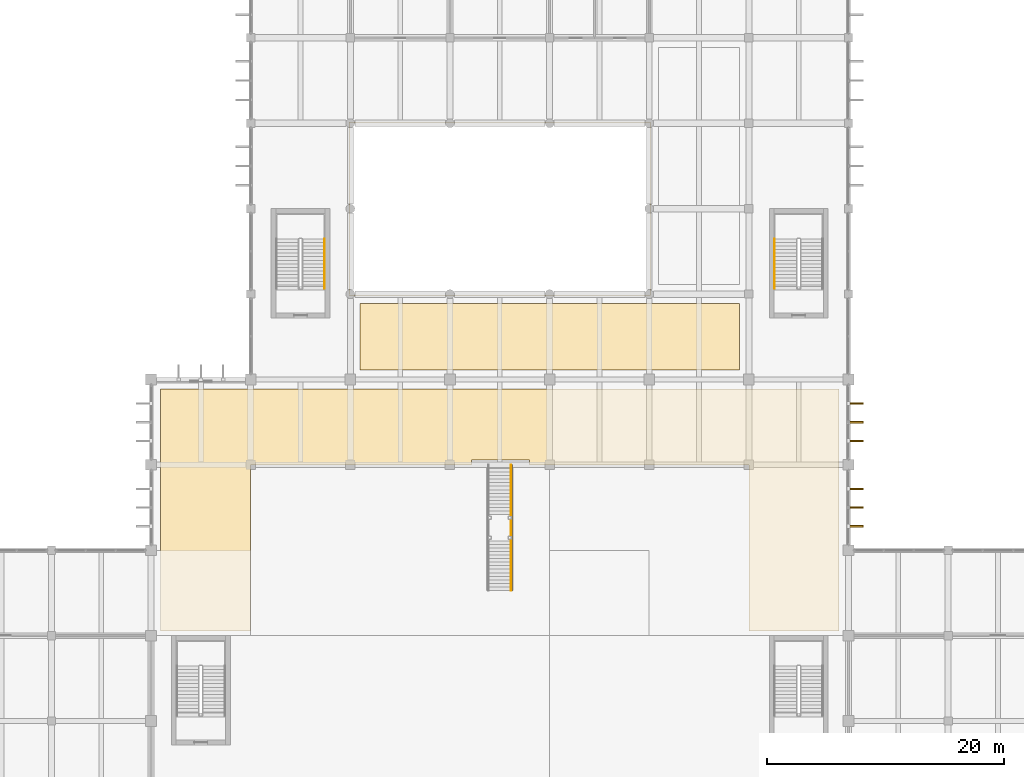
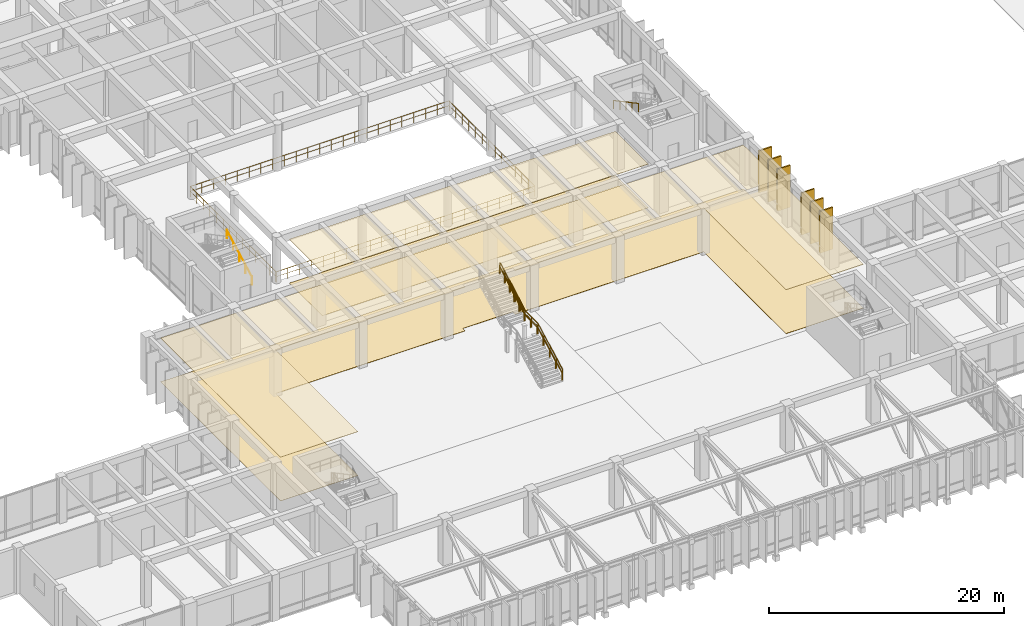
# One storey, part 46 of 51: 6 shading devices, 5 railings, 4 coverings.
"""IFC4 building model written with IfcOpenShell, lengths in metres."""

from ifc_helpers import new_model, si_unit, direction, frame, origin, origin_2d, place, context, subcontext, project, spatial, polyline, rectangle, circle, outline, extrude, material, layer, layer_set, type_object, element, save


model = new_model("IFC4")

# Units and contexts
model_context = context("Model", 3, precision=1e-05, world=origin(), true_north=direction((0.0, 1.0)))
body_context = subcontext(model_context, "Body", "Model", "MODEL_VIEW")
ifc_project = project(units=[si_unit("LENGTHUNIT", "METRE"), si_unit("AREAUNIT", "SQUARE_METRE"), si_unit("VOLUMEUNIT", "CUBIC_METRE"), si_unit("PLANEANGLEUNIT", "RADIAN"), si_unit("MASSUNIT", "GRAM", prefix="KILO")], contexts=[model_context])

# Site, building, storey
site_placement = place(None, origin())
site = spatial("IfcSite", under=ifc_project, at=site_placement, CompositionType="ELEMENT")
building_placement = place(site_placement, origin())
building = spatial("IfcBuilding", under=site, at=building_placement, Name="Kenerak Square Central Library", CompositionType="ELEMENT")
storey_placement = place(building_placement, frame((0.0, 0.0, 9.60009765625)))
storey = spatial("IfcBuildingStorey", under=building, at=storey_placement, Name="L02", CompositionType="ELEMENT", Elevation=9.60009765625)

# Railing
ifc_material_1 = material(Name="Steel S355", Category="steel")
railing_type_1 = type_object("IfcRailingType", Name="Atrium Glazed Balustrade BL-1100 S355", PredefinedType="BALUSTRADE", material=ifc_material_1)
railing_1_placement = place(storey_placement, frame((75.10009765625, 59.89990234375, 0.0)))
element("IfcRailing", 1, at=railing_1_placement, inside=storey, type_object=railing_type_1, Name="Atrium Gallery Balustrade L02", PredefinedType="BALUSTRADE", context=body_context, shape_type="SweptSolid", body=[
    extrude(circle(Radius=0.02392578125, at=origin_2d()), frame((0.0, 0.0, 1.076171875), z_axis=(1.0, 0.0, 0.0), x_axis=(0.0, 1.0, 0.0)), (0.0, 0.0, 1.0), 25.39990234375),
    extrude(circle(Radius=0.01806640625, at=origin_2d()), frame((0.0, 0.0, 0.572021484375), z_axis=(1.0, 0.0, 0.0), x_axis=(0.0, 1.0, 0.0)), (0.0, 0.0, 1.0), 25.39990234375),
    extrude(circle(Radius=0.02392578125, at=origin_2d()), frame((25.39990234375, 0.0, 1.076171875), z_axis=(0.0, 1.0, 0.0), x_axis=(-1.0, 0.0, 0.0)), (0.0, 0.0, 1.0), 14.60009765625),
    extrude(circle(Radius=0.01806640625, at=origin_2d()), frame((25.39990234375, 0.0, 0.572021484375), z_axis=(0.0, 1.0, 0.0), x_axis=(-1.0, 0.0, 0.0)), (0.0, 0.0, 1.0), 14.60009765625),
    extrude(circle(Radius=0.02392578125, at=origin_2d()), frame((25.39990234375, 14.60009765625, 1.076171875), z_axis=(-1.0, 0.0, 0.0), x_axis=(0.0, -1.0, 0.0)), (0.0, 0.0, 1.0), 25.39990234375),
    extrude(circle(Radius=0.01806640625, at=origin_2d()), frame((25.39990234375, 14.60009765625, 0.572021484375), z_axis=(-1.0, 0.0, 0.0), x_axis=(0.0, -1.0, 0.0)), (0.0, 0.0, 1.0), 25.39990234375),
    extrude(circle(Radius=0.02392578125, at=origin_2d()), frame((0.0, 14.60009765625, 1.076171875), z_axis=(0.0, -1.0, 0.0), x_axis=(1.0, 0.0, 0.0)), (0.0, 0.0, 1.0), 14.52001953125),
    extrude(circle(Radius=0.01806640625, at=origin_2d()), frame((0.0, 14.60009765625, 0.572021484375), z_axis=(0.0, -1.0, 0.0), x_axis=(1.0, 0.0, 0.0)), (0.0, 0.0, 1.0), 14.52001953125),
    extrude(circle(Radius=0.02099609375, at=origin_2d()), origin(), (0.0, 0.0, 1.0), 1.052001953125),
    extrude(circle(Radius=0.02099609375, at=origin_2d()), frame((1.154541015625, 0.0, 0.0)), (0.0, 0.0, 1.0), 1.052001953125),
    extrude(circle(Radius=0.02099609375, at=origin_2d()), frame((2.30908203125, 0.0, 0.0)), (0.0, 0.0, 1.0), 1.052001953125),
    extrude(circle(Radius=0.02099609375, at=origin_2d()), frame((3.463623046875, 0.0, 0.0)), (0.0, 0.0, 1.0), 1.052001953125),
    extrude(circle(Radius=0.02099609375, at=origin_2d()), frame((4.6181640625, 0.0, 0.0)), (0.0, 0.0, 1.0), 1.052001953125),
    extrude(circle(Radius=0.02099609375, at=origin_2d()), frame((5.772705078125, 0.0, 0.0)), (0.0, 0.0, 1.0), 1.052001953125),
    extrude(circle(Radius=0.02099609375, at=origin_2d()), frame((6.92724609375, 0.0, 0.0)), (0.0, 0.0, 1.0), 1.052001953125),
    extrude(circle(Radius=0.02099609375, at=origin_2d()), frame((8.081787109375, 0.0, 0.0)), (0.0, 0.0, 1.0), 1.052001953125),
    extrude(circle(Radius=0.02099609375, at=origin_2d()), frame((9.236328125, 0.0, 0.0)), (0.0, 0.0, 1.0), 1.052001953125),
    extrude(circle(Radius=0.02099609375, at=origin_2d()), frame((10.390869140625, 0.0, 0.0)), (0.0, 0.0, 1.0), 1.052001953125),
    extrude(circle(Radius=0.02099609375, at=origin_2d()), frame((11.54541015625, 0.0, 0.0)), (0.0, 0.0, 1.0), 1.052001953125),
    extrude(circle(Radius=0.02099609375, at=origin_2d()), frame((12.699951171875, 0.0, 0.0)), (0.0, 0.0, 1.0), 1.052001953125),
    extrude(circle(Radius=0.02099609375, at=origin_2d()), frame((13.8544921875, 0.0, 0.0)), (0.0, 0.0, 1.0), 1.052001953125),
    extrude(circle(Radius=0.02099609375, at=origin_2d()), frame((15.009033203125, 0.0, 0.0)), (0.0, 0.0, 1.0), 1.052001953125),
    extrude(circle(Radius=0.02099609375, at=origin_2d()), frame((16.16357421875, 0.0, 0.0)), (0.0, 0.0, 1.0), 1.052001953125),
    extrude(circle(Radius=0.02099609375, at=origin_2d()), frame((17.318115234375, 0.0, 0.0)), (0.0, 0.0, 1.0), 1.052001953125),
    extrude(circle(Radius=0.02099609375, at=origin_2d()), frame((18.47265625, 0.0, 0.0)), (0.0, 0.0, 1.0), 1.052001953125),
    extrude(circle(Radius=0.02099609375, at=origin_2d()), frame((19.627197265625, 0.0, 0.0)), (0.0, 0.0, 1.0), 1.052001953125),
    extrude(circle(Radius=0.02099609375, at=origin_2d()), frame((20.78173828125, 0.0, 0.0)), (0.0, 0.0, 1.0), 1.052001953125),
    extrude(circle(Radius=0.02099609375, at=origin_2d()), frame((21.936279296875, 0.0, 0.0)), (0.0, 0.0, 1.0), 1.052001953125),
    extrude(circle(Radius=0.02099609375, at=origin_2d()), frame((23.0908203125, 0.0, 0.0)), (0.0, 0.0, 1.0), 1.052001953125),
    extrude(circle(Radius=0.02099609375, at=origin_2d()), frame((24.245361328125, 0.0, 0.0)), (0.0, 0.0, 1.0), 1.052001953125),
    extrude(circle(Radius=0.02099609375, at=origin_2d()), frame((25.39990234375, 0.0, 0.0)), (0.0, 0.0, 1.0), 1.052001953125),
    extrude(circle(Radius=0.02099609375, at=origin_2d()), frame((25.39990234375, 1.123046875, 0.0)), (0.0, 0.0, 1.0), 1.052001953125),
    extrude(circle(Radius=0.02099609375, at=origin_2d()), frame((25.39990234375, 2.24609375, 0.0)), (0.0, 0.0, 1.0), 1.052001953125),
    extrude(circle(Radius=0.02099609375, at=origin_2d()), frame((25.39990234375, 3.369140625, 0.0)), (0.0, 0.0, 1.0), 1.052001953125),
    extrude(circle(Radius=0.02099609375, at=origin_2d()), frame((25.39990234375, 4.492431640625, 0.0)), (0.0, 0.0, 1.0), 1.052001953125),
    extrude(circle(Radius=0.02099609375, at=origin_2d()), frame((25.39990234375, 5.615478515625, 0.0)), (0.0, 0.0, 1.0), 1.052001953125),
    extrude(circle(Radius=0.02099609375, at=origin_2d()), frame((25.39990234375, 6.738525390625, 0.0)), (0.0, 0.0, 1.0), 1.052001953125),
    extrude(circle(Radius=0.02099609375, at=origin_2d()), frame((25.39990234375, 7.861572265625, 0.0)), (0.0, 0.0, 1.0), 1.052001953125),
    extrude(circle(Radius=0.02099609375, at=origin_2d()), frame((25.39990234375, 8.984619140625, 0.0)), (0.0, 0.0, 1.0), 1.052001953125),
    extrude(circle(Radius=0.02099609375, at=origin_2d()), frame((25.39990234375, 10.107666015625, 0.0)), (0.0, 0.0, 1.0), 1.052001953125),
    extrude(circle(Radius=0.02099609375, at=origin_2d()), frame((25.39990234375, 11.23095703125, 0.0)), (0.0, 0.0, 1.0), 1.052001953125),
    extrude(circle(Radius=0.02099609375, at=origin_2d()), frame((25.39990234375, 12.35400390625, 0.0)), (0.0, 0.0, 1.0), 1.052001953125),
    extrude(circle(Radius=0.02099609375, at=origin_2d()), frame((25.39990234375, 13.47705078125, 0.0)), (0.0, 0.0, 1.0), 1.052001953125),
    extrude(circle(Radius=0.02099609375, at=origin_2d()), frame((25.39990234375, 14.60009765625, 0.0)), (0.0, 0.0, 1.0), 1.052001953125),
    extrude(circle(Radius=0.02099609375, at=origin_2d()), frame((24.245361328125, 14.60009765625, 0.0)), (0.0, 0.0, 1.0), 1.052001953125),
    extrude(circle(Radius=0.02099609375, at=origin_2d()), frame((23.0908203125, 14.60009765625, 0.0)), (0.0, 0.0, 1.0), 1.052001953125),
    extrude(circle(Radius=0.02099609375, at=origin_2d()), frame((21.936279296875, 14.60009765625, 0.0)), (0.0, 0.0, 1.0), 1.052001953125),
    extrude(circle(Radius=0.02099609375, at=origin_2d()), frame((20.78173828125, 14.60009765625, 0.0)), (0.0, 0.0, 1.0), 1.052001953125),
    extrude(circle(Radius=0.02099609375, at=origin_2d()), frame((19.627197265625, 14.60009765625, 0.0)), (0.0, 0.0, 1.0), 1.052001953125),
    extrude(circle(Radius=0.02099609375, at=origin_2d()), frame((18.47265625, 14.60009765625, 0.0)), (0.0, 0.0, 1.0), 1.052001953125),
    extrude(circle(Radius=0.02099609375, at=origin_2d()), frame((17.318115234375, 14.60009765625, 0.0)), (0.0, 0.0, 1.0), 1.052001953125),
    extrude(circle(Radius=0.02099609375, at=origin_2d()), frame((16.16357421875, 14.60009765625, 0.0)), (0.0, 0.0, 1.0), 1.052001953125),
    extrude(circle(Radius=0.02099609375, at=origin_2d()), frame((15.009033203125, 14.60009765625, 0.0)), (0.0, 0.0, 1.0), 1.052001953125),
    extrude(circle(Radius=0.02099609375, at=origin_2d()), frame((13.8544921875, 14.60009765625, 0.0)), (0.0, 0.0, 1.0), 1.052001953125),
    extrude(circle(Radius=0.02099609375, at=origin_2d()), frame((12.699951171875, 14.60009765625, 0.0)), (0.0, 0.0, 1.0), 1.052001953125),
    extrude(circle(Radius=0.02099609375, at=origin_2d()), frame((11.54541015625, 14.60009765625, 0.0)), (0.0, 0.0, 1.0), 1.052001953125),
    extrude(circle(Radius=0.02099609375, at=origin_2d()), frame((10.390869140625, 14.60009765625, 0.0)), (0.0, 0.0, 1.0), 1.052001953125),
    extrude(circle(Radius=0.02099609375, at=origin_2d()), frame((9.236328125, 14.60009765625, 0.0)), (0.0, 0.0, 1.0), 1.052001953125),
    extrude(circle(Radius=0.02099609375, at=origin_2d()), frame((8.081787109375, 14.60009765625, 0.0)), (0.0, 0.0, 1.0), 1.052001953125),
    extrude(circle(Radius=0.02099609375, at=origin_2d()), frame((6.92724609375, 14.60009765625, 0.0)), (0.0, 0.0, 1.0), 1.052001953125),
    extrude(circle(Radius=0.02099609375, at=origin_2d()), frame((5.772705078125, 14.60009765625, 0.0)), (0.0, 0.0, 1.0), 1.052001953125),
    extrude(circle(Radius=0.02099609375, at=origin_2d()), frame((4.6181640625, 14.60009765625, 0.0)), (0.0, 0.0, 1.0), 1.052001953125),
    extrude(circle(Radius=0.02099609375, at=origin_2d()), frame((3.463623046875, 14.60009765625, 0.0)), (0.0, 0.0, 1.0), 1.052001953125),
    extrude(circle(Radius=0.02099609375, at=origin_2d()), frame((2.30908203125, 14.60009765625, 0.0)), (0.0, 0.0, 1.0), 1.052001953125),
    extrude(circle(Radius=0.02099609375, at=origin_2d()), frame((1.154541015625, 14.60009765625, 0.0)), (0.0, 0.0, 1.0), 1.052001953125),
    extrude(circle(Radius=0.02099609375, at=origin_2d()), frame((0.0, 14.60009765625, 0.0)), (0.0, 0.0, 1.0), 1.052001953125),
    extrude(circle(Radius=0.02099609375, at=origin_2d()), frame((0.0, 13.483154296875, 0.0)), (0.0, 0.0, 1.0), 1.052001953125),
    extrude(circle(Radius=0.02099609375, at=origin_2d()), frame((0.0, 12.3662109375, 0.0)), (0.0, 0.0, 1.0), 1.052001953125),
    extrude(circle(Radius=0.02099609375, at=origin_2d()), frame((0.0, 11.249267578125, 0.0)), (0.0, 0.0, 1.0), 1.052001953125),
    extrude(circle(Radius=0.02099609375, at=origin_2d()), frame((0.0, 10.13232421875, 0.0)), (0.0, 0.0, 1.0), 1.052001953125),
    extrude(circle(Radius=0.02099609375, at=origin_2d()), frame((0.0, 9.015380859375, 0.0)), (0.0, 0.0, 1.0), 1.052001953125),
    extrude(circle(Radius=0.02099609375, at=origin_2d()), frame((0.0, 7.8984375, 0.0)), (0.0, 0.0, 1.0), 1.052001953125),
    extrude(circle(Radius=0.02099609375, at=origin_2d()), frame((0.0, 6.78173828125, 0.0)), (0.0, 0.0, 1.0), 1.052001953125),
    extrude(circle(Radius=0.02099609375, at=origin_2d()), frame((0.0, 5.664794921875, 0.0)), (0.0, 0.0, 1.0), 1.052001953125),
    extrude(circle(Radius=0.02099609375, at=origin_2d()), frame((0.0, 4.5478515625, 0.0)), (0.0, 0.0, 1.0), 1.052001953125),
    extrude(circle(Radius=0.02099609375, at=origin_2d()), frame((0.0, 3.430908203125, 0.0)), (0.0, 0.0, 1.0), 1.052001953125),
    extrude(circle(Radius=0.02099609375, at=origin_2d()), frame((0.0, 2.31396484375, 0.0)), (0.0, 0.0, 1.0), 1.052001953125),
    extrude(circle(Radius=0.02099609375, at=origin_2d()), frame((0.0, 1.197021484375, 0.0)), (0.0, 0.0, 1.0), 1.052001953125),
    extrude(circle(Radius=0.02099609375, at=origin_2d()), frame((0.0, 0.080078125, 0.0)), (0.0, 0.0, 1.0), 1.052001953125),
])

# Coverings
ifc_material_2 = material(Name="Chengal hardwood timber SG1", Category="wood")
ifc_layer_1 = layer(ifc_material_2, 0.044921875)
ifc_layer_set_1 = layer_set([ifc_layer_1], Name="Chengal hardwood timber SG1")
covering_type_1 = type_object("IfcCoveringType", Name="Perforated Chengal Acoustic Ceiling CV-CEIL", PredefinedType="CEILING", material=ifc_layer_set_1)
covering_1_placement = place(storey_placement, frame((0.0, 0.0, 4.52978515625)))
element("IfcCovering", 2, at=covering_1_placement, inside=storey, type_object=covering_type_1, Name="Acoustic Ceiling L02-01", PredefinedType="CEILING", context=body_context, shape_type="SweptSolid", body=[
    extrude(outline(polyline([(59.199951171875, 31.60009765625), (59.199951171875, 52.0), (116.39990234375, 52.0), (116.39990234375, 31.60009765625), (108.800048828125, 31.60009765625), (108.800048828125, 45.60009765625), (90.300048828125, 45.60009765625), (90.300048828125, 46.0), (85.39990234375, 46.0), (85.39990234375, 45.60009765625), (66.800048828125, 45.60009765625), (66.800048828125, 31.60009765625), (59.199951171875, 31.60009765625)])), origin(), (0.0, 0.0, 1.0), 0.045166015625),
])
covering_2_placement = place(storey_placement, frame((0.0, 0.0, 4.52978515625)))
element("IfcCovering", 3, at=covering_2_placement, inside=storey, type_object=covering_type_1, Name="Acoustic Ceiling L02-05", PredefinedType="CEILING", context=body_context, shape_type="SweptSolid", body=[
    extrude(outline(polyline([(76.0, 59.199951171875), (108.0, 59.199951171875), (108.0, 53.60009765625), (76.0, 53.60009765625), (76.0, 59.199951171875)])), origin(), (0.0, 0.0, 1.0), 0.045166015625),
])
ifc_material_3 = material(Name="Polished granite aggregate terrazzo", Category="masonry")
ifc_layer_2 = layer(ifc_material_3, 0.02490234375)
ifc_layer_set_2 = layer_set([ifc_layer_2], Name="Polished granite aggregate terrazzo")
covering_type_2 = type_object("IfcCoveringType", Name="Polished Terrazzo Reading Floor Finish CV-FLR", PredefinedType="FLOORING", material=ifc_layer_set_2)
covering_3_placement = place(storey_placement, origin())
element("IfcCovering", 4, at=covering_3_placement, inside=storey, type_object=covering_type_2, Name="Terrazzo Floor Finish L02-01", PredefinedType="FLOORING", context=body_context, shape_type="SweptSolid", body=[
    extrude(outline(polyline([(59.199951171875, 31.60009765625), (59.199951171875, 52.0), (116.39990234375, 52.0), (116.39990234375, 31.60009765625), (108.800048828125, 31.60009765625), (108.800048828125, 45.60009765625), (90.300048828125, 45.60009765625), (90.300048828125, 46.0), (85.39990234375, 46.0), (85.39990234375, 45.60009765625), (66.800048828125, 45.60009765625), (66.800048828125, 31.60009765625), (59.199951171875, 31.60009765625)])), origin(), (0.0, 0.0, 1.0), 0.02490234375),
])
covering_4_placement = place(storey_placement, origin())
element("IfcCovering", 5, at=covering_4_placement, inside=storey, type_object=covering_type_2, Name="Terrazzo Floor Finish L02-05", PredefinedType="FLOORING", context=body_context, shape_type="SweptSolid", body=[
    extrude(outline(polyline([(76.0, 59.199951171875), (108.0, 59.199951171875), (108.0, 53.60009765625), (76.0, 53.60009765625), (76.0, 59.199951171875)])), origin(), (0.0, 0.0, 1.0), 0.02490234375),
])

# Shading devices
ifc_material_4 = material(Name="White precast concrete C40/50", Category="concrete")
shading_device_type = type_object("IfcShadingDeviceType", Name="Precast Vertical Solar Fin SF-1280 C40/50", PredefinedType="USERDEFINED", material=ifc_material_4)
for number, where, z_axis, x_axis, name in (
    (6, (117.820068359375, 50.77490234375, 0.099853515625), (0.0, 0.0, 1.0), (0.0, -1.0, 0.0), "Precast Solar Fin FIN-01 L02 0168"),
    (7, (117.820068359375, 49.199951171875, 0.099853515625), (0.0, 0.0, 1.0), (0.0, -1.0, 0.0), "Precast Solar Fin FIN-01 L02 0169"),
    (8, (117.820068359375, 47.625, 0.099853515625), (0.0, 0.0, 1.0), (0.0, -1.0, 0.0), "Precast Solar Fin FIN-01 L02 0170"),
    (9, (117.820068359375, 43.574951171875, 0.099853515625), (0.0, 0.0, 1.0), (0.0, -1.0, 0.0), "Precast Solar Fin FIN-01 L02 0171"),
    (10, (117.820068359375, 42.0, 0.099853515625), (0.0, 0.0, 1.0), (0.0, -1.0, 0.0), "Precast Solar Fin FIN-01 L02 0172"),
    (11, (117.820068359375, 40.425048828125, 0.099853515625), (0.0, 0.0, 1.0), (0.0, -1.0, 0.0), "Precast Solar Fin FIN-01 L02 0173"),
):
    element("IfcShadingDevice", number, at=place(storey_placement, frame(where, z_axis=z_axis, x_axis=x_axis)), inside=storey, type_object=shading_device_type, Name=name, ObjectType="FIN", PredefinedType="USERDEFINED", context=body_context, shape_type="SweptSolid", body=[
        extrude(rectangle(XDim=0.139892578125, YDim=1.280029296875, at=origin_2d()), origin(), (0.0, 0.0, 1.0), 4.35009765625),
    ])

# Railings
railing_type_2 = type_object("IfcRailingType", Name="Safety Guardrail GR-1100 S355", PredefinedType="GUARDRAIL", material=ifc_material_1)
railing_2_placement = place(storey_placement, frame((88.840087890625, 35.0, 0.159912109375)))
element("IfcRailing", 12, at=railing_2_placement, inside=storey, type_object=railing_type_2, Name="Feature Stair Guardrail ST-F2 E", PredefinedType="GUARDRAIL", context=body_context, shape_type="SweptSolid", body=[
    extrude(circle(Radius=0.02392578125, at=origin_2d()), frame((0.0, 0.0, 1.076171875), z_axis=(0.0, 0.882351521365, 0.470590897432), x_axis=(-1.0, 0.0, 0.0)), (0.0, 0.0, 1.0), 4.760009765625),
    extrude(circle(Radius=0.01806640625, at=origin_2d()), frame((0.0, 0.0, 0.572021484375), z_axis=(0.0, 0.882351521365, 0.470590897432), x_axis=(-1.0, 0.0, 0.0)), (0.0, 0.0, 1.0), 4.760009765625),
    extrude(circle(Radius=0.02392578125, at=origin_2d()), frame((0.0, 4.199951171875, 3.31591796875), z_axis=(0.0, 1.0, 0.0), x_axis=(-1.0, 0.0, 0.0)), (0.0, 0.0, 1.0), 2.199951171875),
    extrude(circle(Radius=0.01806640625, at=origin_2d()), frame((0.0, 4.199951171875, 2.81201171875), z_axis=(0.0, 1.0, 0.0), x_axis=(-1.0, 0.0, 0.0)), (0.0, 0.0, 1.0), 2.199951171875),
    extrude(circle(Radius=0.02392578125, at=origin_2d()), frame((0.0, 6.39990234375, 3.31591796875), z_axis=(0.0, 0.868261776072, 0.496106327528), x_axis=(-1.0, 0.0, 0.0)), (0.0, 0.0, 1.0), 4.83740234375),
    extrude(circle(Radius=0.01806640625, at=origin_2d()), frame((0.0, 6.39990234375, 2.81201171875), z_axis=(0.0, 0.868261776072, 0.496106327528), x_axis=(-1.0, 0.0, 0.0)), (0.0, 0.0, 1.0), 4.83740234375),
    extrude(circle(Radius=0.02099609375, at=origin_2d()), origin(), (0.0, 0.0, 1.0), 1.052001953125),
    extrude(circle(Radius=0.02099609375, at=origin_2d()), frame((0.0, 1.050048828125, 0.56005859375)), (0.0, 0.0, 1.0), 1.052001953125),
    extrude(circle(Radius=0.02099609375, at=origin_2d()), frame((0.0, 2.10009765625, 1.1201171875)), (0.0, 0.0, 1.0), 1.052001953125),
    extrude(circle(Radius=0.02099609375, at=origin_2d()), frame((0.0, 3.14990234375, 1.679931640625)), (0.0, 0.0, 1.0), 1.052001953125),
    extrude(circle(Radius=0.02099609375, at=origin_2d()), frame((0.0, 4.199951171875, 2.239990234375)), (0.0, 0.0, 1.0), 1.052001953125),
    extrude(circle(Radius=0.02099609375, at=origin_2d()), frame((0.0, 5.2998046875, 2.239990234375)), (0.0, 0.0, 1.0), 1.052001953125),
    extrude(circle(Radius=0.02099609375, at=origin_2d()), frame((0.0, 6.39990234375, 2.239990234375)), (0.0, 0.0, 1.0), 1.052001953125),
    extrude(circle(Radius=0.02099609375, at=origin_2d()), frame((0.0, 7.239990234375, 2.719970703125)), (0.0, 0.0, 1.0), 1.052001953125),
    extrude(circle(Radius=0.02099609375, at=origin_2d()), frame((0.0, 8.080078125, 3.199951171875)), (0.0, 0.0, 1.0), 1.052001953125),
    extrude(circle(Radius=0.02099609375, at=origin_2d()), frame((0.0, 8.919921875, 3.679931640625)), (0.0, 0.0, 1.0), 1.052001953125),
    extrude(circle(Radius=0.02099609375, at=origin_2d()), frame((0.0, 9.760009765625, 4.159912109375)), (0.0, 0.0, 1.0), 1.052001953125),
    extrude(circle(Radius=0.02099609375, at=origin_2d()), frame((0.0, 10.60009765625, 4.639892578125)), (0.0, 0.0, 1.0), 1.052001953125),
])
railing_type_3 = type_object("IfcRailingType", Name="Stair Handrail HR-880 S355", PredefinedType="HANDRAIL", material=ifc_material_1)
railing_3_placement = place(storey_placement, frame((73.030029296875, 60.449951171875, 0.159912109375)))
element("IfcRailing", 13, at=railing_3_placement, inside=storey, type_object=railing_type_3, Name="L02 ST-08 stair handrail 1", PredefinedType="HANDRAIL", context=body_context, shape_type="SweptSolid", body=[
    extrude(circle(Radius=0.02392578125, at=origin_2d()), frame((0.0, 0.0, 0.85595703125), z_axis=(0.0, 0.882351521365, 0.470590897432), x_axis=(-1.0, 0.0, 0.0)), (0.0, 0.0, 1.0), 4.760009765625),
    extrude(circle(Radius=0.02099609375, at=origin_2d()), origin(), (0.0, 0.0, 1.0), 0.831787109375),
    extrude(circle(Radius=0.02099609375, at=origin_2d()), frame((0.0, 1.050048828125, 0.56005859375)), (0.0, 0.0, 1.0), 0.831787109375),
    extrude(circle(Radius=0.02099609375, at=origin_2d()), frame((0.0, 2.10009765625, 1.1201171875)), (0.0, 0.0, 1.0), 0.831787109375),
    extrude(circle(Radius=0.02099609375, at=origin_2d()), frame((0.0, 3.14990234375, 1.679931640625)), (0.0, 0.0, 1.0), 0.831787109375),
    extrude(circle(Radius=0.02099609375, at=origin_2d()), frame((0.0, 4.199951171875, 2.239990234375)), (0.0, 0.0, 1.0), 0.831787109375),
])
railing_4_placement = place(storey_placement, frame((110.969970703125, 64.64990234375, 2.559814453125)))
element("IfcRailing", 14, at=railing_4_placement, inside=storey, type_object=railing_type_3, Name="L02 ST-09 stair handrail 2", PredefinedType="HANDRAIL", context=body_context, shape_type="SweptSolid", body=[
    extrude(circle(Radius=0.02392578125, at=origin_2d()), frame((0.0, 0.0, 0.85595703125), z_axis=(0.0, -0.882351521365, 0.470590897432), x_axis=(1.0, 0.0, 0.0)), (0.0, 0.0, 1.0), 4.760009765625),
    extrude(circle(Radius=0.02099609375, at=origin_2d()), origin(), (0.0, 0.0, 1.0), 0.831787109375),
    extrude(circle(Radius=0.02099609375, at=origin_2d()), frame((0.0, -1.050048828125, 0.56005859375)), (0.0, 0.0, 1.0), 0.831787109375),
    extrude(circle(Radius=0.02099609375, at=origin_2d()), frame((0.0, -2.10009765625, 1.1201171875)), (0.0, 0.0, 1.0), 0.831787109375),
    extrude(circle(Radius=0.02099609375, at=origin_2d()), frame((0.0, -3.14990234375, 1.679931640625)), (0.0, 0.0, 1.0), 0.831787109375),
    extrude(circle(Radius=0.02099609375, at=origin_2d()), frame((0.0, -4.199951171875, 2.239990234375)), (0.0, 0.0, 1.0), 0.831787109375),
])
railing_5_placement = place(storey_placement, frame((88.7568359375, 35.0, 0.159912109375)))
element("IfcRailing", 15, at=railing_5_placement, inside=storey, type_object=railing_type_3, Name="Feature Stair Handrail ST-F2 E", PredefinedType="HANDRAIL", context=body_context, shape_type="SweptSolid", body=[
    extrude(circle(Radius=0.02392578125, at=origin_2d()), frame((0.0, 0.0, 0.85595703125), z_axis=(0.0, 0.882351521365, 0.470590897432), x_axis=(-1.0, 0.0, 0.0)), (0.0, 0.0, 1.0), 4.760009765625),
    extrude(circle(Radius=0.02392578125, at=origin_2d()), frame((0.0, 4.199951171875, 3.095703125), z_axis=(0.0, 1.0, 0.0), x_axis=(-1.0, 0.0, 0.0)), (0.0, 0.0, 1.0), 2.199951171875),
    extrude(circle(Radius=0.02392578125, at=origin_2d()), frame((0.0, 6.39990234375, 3.095703125), z_axis=(0.0, 0.868261776072, 0.496106327528), x_axis=(-1.0, 0.0, 0.0)), (0.0, 0.0, 1.0), 4.83740234375),
    extrude(circle(Radius=0.02099609375, at=origin_2d()), origin(), (0.0, 0.0, 1.0), 0.831787109375),
    extrude(circle(Radius=0.02099609375, at=origin_2d()), frame((0.0, 1.050048828125, 0.56005859375)), (0.0, 0.0, 1.0), 0.831787109375),
    extrude(circle(Radius=0.02099609375, at=origin_2d()), frame((0.0, 2.10009765625, 1.1201171875)), (0.0, 0.0, 1.0), 0.831787109375),
    extrude(circle(Radius=0.02099609375, at=origin_2d()), frame((0.0, 3.14990234375, 1.679931640625)), (0.0, 0.0, 1.0), 0.831787109375),
    extrude(circle(Radius=0.02099609375, at=origin_2d()), frame((0.0, 4.199951171875, 2.239990234375)), (0.0, 0.0, 1.0), 0.831787109375),
    extrude(circle(Radius=0.02099609375, at=origin_2d()), frame((0.0, 5.2998046875, 2.239990234375)), (0.0, 0.0, 1.0), 0.831787109375),
    extrude(circle(Radius=0.02099609375, at=origin_2d()), frame((0.0, 6.39990234375, 2.239990234375)), (0.0, 0.0, 1.0), 0.831787109375),
    extrude(circle(Radius=0.02099609375, at=origin_2d()), frame((0.0, 7.239990234375, 2.719970703125)), (0.0, 0.0, 1.0), 0.831787109375),
    extrude(circle(Radius=0.02099609375, at=origin_2d()), frame((0.0, 8.080078125, 3.199951171875)), (0.0, 0.0, 1.0), 0.831787109375),
    extrude(circle(Radius=0.02099609375, at=origin_2d()), frame((0.0, 8.919921875, 3.679931640625)), (0.0, 0.0, 1.0), 0.831787109375),
    extrude(circle(Radius=0.02099609375, at=origin_2d()), frame((0.0, 9.760009765625, 4.159912109375)), (0.0, 0.0, 1.0), 0.831787109375),
    extrude(circle(Radius=0.02099609375, at=origin_2d()), frame((0.0, 10.60009765625, 4.639892578125)), (0.0, 0.0, 1.0), 0.831787109375),
])

save(model, "model.ifc")
